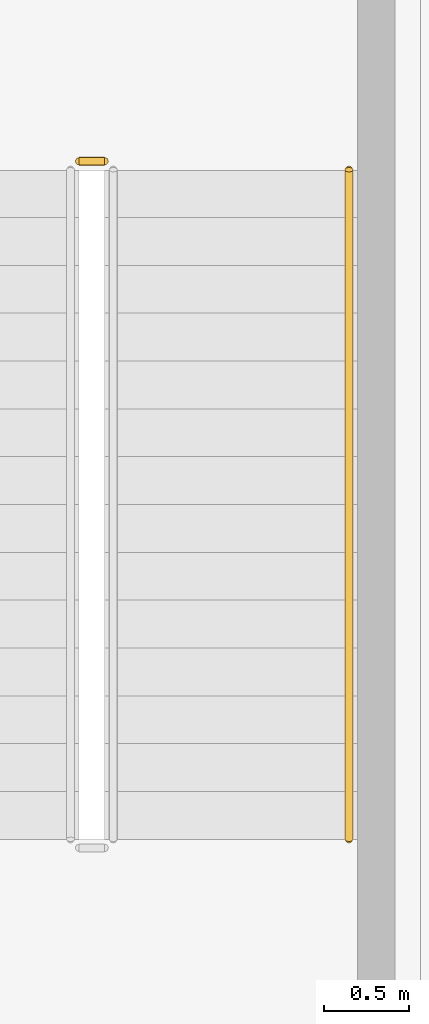
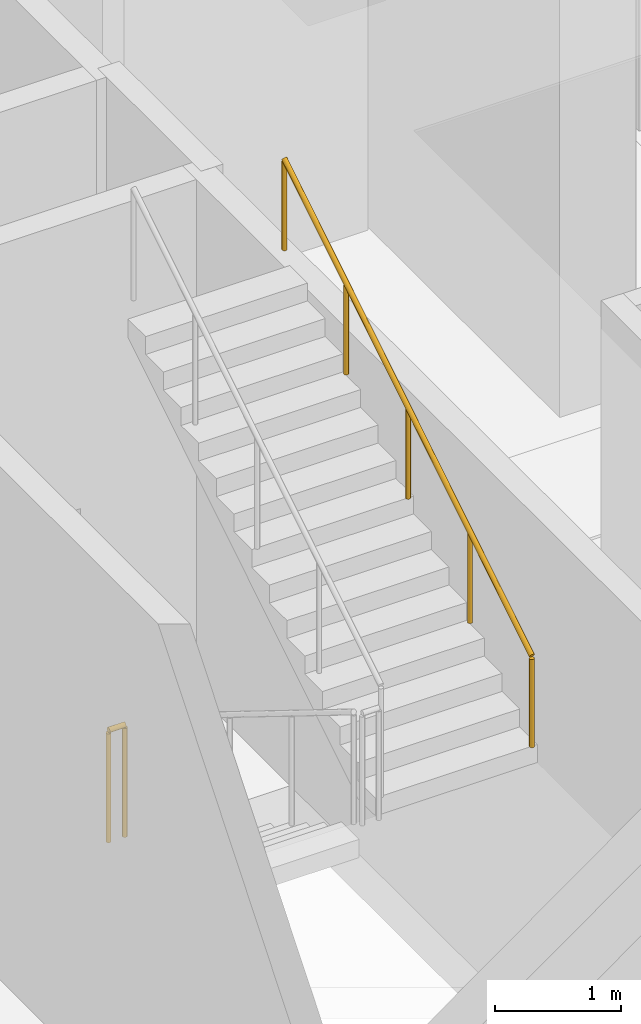
# One storey, part 37 of 41: 2 railings.
"""IFC4 building model written with IfcOpenShell, lengths in metres."""

from ifc_helpers import new_model, si_unit, direction, frame, origin, origin_2d, place, context, subcontext, project, spatial, circle, extrude, material, type_object, element, save


model = new_model("IFC4")

# Units and contexts
model_context = context("Model", 3, precision=1e-05, world=origin(), true_north=direction((0.0, 1.0)))
body_context = subcontext(model_context, "Body", "Model", "MODEL_VIEW")
ifc_project = project(units=[si_unit("LENGTHUNIT", "METRE"), si_unit("AREAUNIT", "SQUARE_METRE"), si_unit("VOLUMEUNIT", "CUBIC_METRE"), si_unit("PLANEANGLEUNIT", "RADIAN"), si_unit("MASSUNIT", "GRAM", prefix="KILO")], contexts=[model_context])

# Site, building, storey
site_placement = place(None, origin())
site = spatial("IfcSite", under=ifc_project, at=site_placement, CompositionType="ELEMENT")
building_placement = place(site_placement, origin())
building = spatial("IfcBuilding", under=site, at=building_placement, Name="Valdorenza Pilgrim Sanctuary Tower", CompositionType="ELEMENT")
storey_placement = place(building_placement, frame((0.0, 0.0, 20.800048828125)))
storey = spatial("IfcBuildingStorey", under=building, at=storey_placement, Name="L04", CompositionType="ELEMENT", Elevation=20.800048828125)

# Railings
ifc_material_1 = material(Name="Stainless steel Grade 316", Category="steel")
railing_type_1 = type_object("IfcRailingType", Name="RLG-GRD-1120", PredefinedType="GUARDRAIL", material=ifc_material_1)
railing_1_placement = place(storey_placement, frame((18.47998046875, -2.330078125, 0.0)))
element("IfcRailing", 1, at=railing_1_placement, inside=storey, type_object=railing_type_1, Name="L04 ST-B2 stair guard 4", PredefinedType="GUARDRAIL", context=body_context, shape_type="SweptSolid", body=[
    extrude(circle(Radius=0.02392578125, at=origin_2d()), frame((0.0, 0.0, 1.076171875), z_axis=(1.0, 0.0, 0.0), x_axis=(0.0, 1.0, 0.0)), (0.0, 0.0, 1.0), 0.14990234375),
    extrude(circle(Radius=0.02099609375, at=origin_2d()), origin(), (0.0, 0.0, 1.0), 1.052001953125),
    extrude(circle(Radius=0.02099609375, at=origin_2d()), frame((0.14990234375, 0.0, 0.0)), (0.0, 0.0, 1.0), 1.052001953125),
])
ifc_material_2 = material(Name="Brushed stainless steel Grade 316", Category="steel")
railing_type_2 = type_object("IfcRailingType", Name="RLG-HND-920", PredefinedType="HANDRAIL", material=ifc_material_2)
railing_2_placement = place(storey_placement, frame((20.06005859375, -6.300048828125, 2.773193359375)))
element("IfcRailing", 2, at=railing_2_placement, inside=storey, type_object=railing_type_2, Name="L04 ST-B2 stair handrail 2", PredefinedType="HANDRAIL", context=body_context, shape_type="SweptSolid", body=[
    extrude(circle(Radius=0.02392578125, at=origin_2d()), frame((0.0, 0.0, 0.8759765625), z_axis=(0.0, 0.850266275192, 0.526352791643), x_axis=(-1.0, 0.0, 0.0)), (0.0, 0.0, 1.0), 4.610595703125),
    extrude(circle(Radius=0.02099609375, at=origin_2d()), origin(), (0.0, 0.0, 1.0), 0.851806640625),
    extrude(circle(Radius=0.02099609375, at=origin_2d()), frame((0.0, 0.97998046875, 0.606689453125)), (0.0, 0.0, 1.0), 0.851806640625),
    extrude(circle(Radius=0.02099609375, at=origin_2d()), frame((0.0, 1.9599609375, 1.21337890625)), (0.0, 0.0, 1.0), 0.851806640625),
    extrude(circle(Radius=0.02099609375, at=origin_2d()), frame((0.0, 2.940185546875, 1.820068359375)), (0.0, 0.0, 1.0), 0.851806640625),
    extrude(circle(Radius=0.02099609375, at=origin_2d()), frame((0.0, 3.920166015625, 2.4267578125)), (0.0, 0.0, 1.0), 0.851806640625),
])

save(model, "model.ifc")
